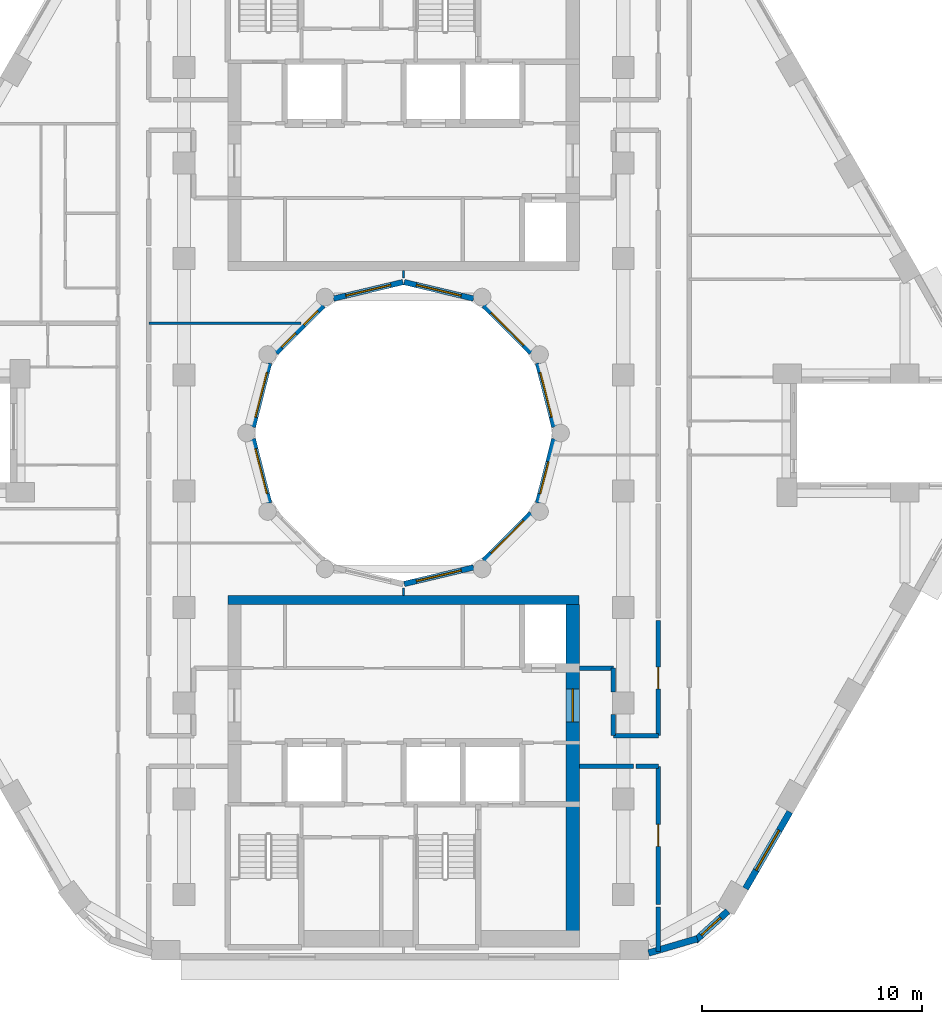
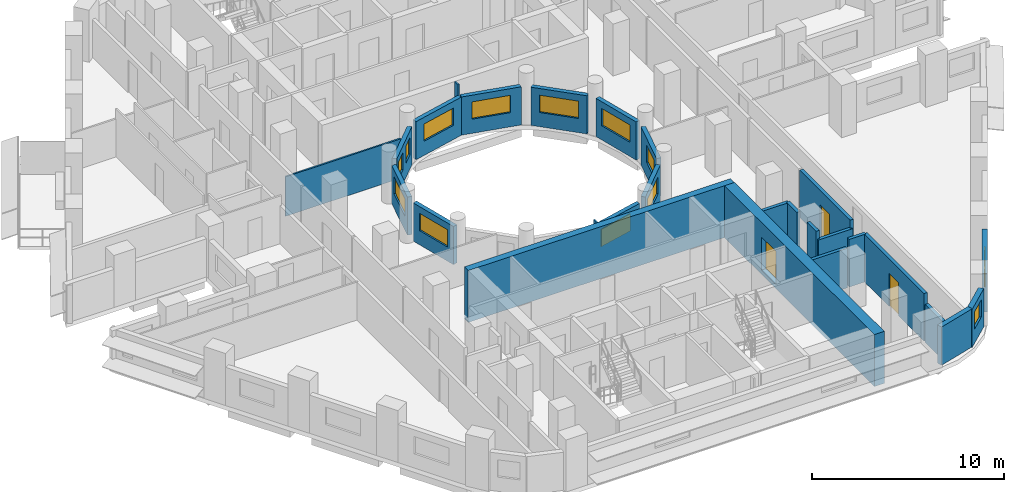
# One storey, part 5 of 13: 27 walls, 13 windows, 3 doors, 16 openings.
"""IFC4 building model written with IfcOpenShell, lengths in metres."""

from ifc_helpers import new_model, si_unit, direction, frame, frame_2d, origin, place, context, subcontext, project, spatial, rectangle, extrude, material, layer, layer_set, type_object, element, fill, save


model = new_model("IFC4")

# Units and contexts
model_context = context("Model", 3, precision=1e-05, world=origin(), true_north=direction((0.0, 1.0)))
body_context = subcontext(model_context, "Body", "Model", "MODEL_VIEW")
ifc_project = project(units=[si_unit("LENGTHUNIT", "METRE"), si_unit("AREAUNIT", "SQUARE_METRE"), si_unit("VOLUMEUNIT", "CUBIC_METRE"), si_unit("PLANEANGLEUNIT", "RADIAN"), si_unit("MASSUNIT", "GRAM", prefix="KILO")], contexts=[model_context])

# Site, building, storey
site_placement = place(None, origin())
site = spatial("IfcSite", under=ifc_project, at=site_placement, CompositionType="ELEMENT")
building_placement = place(site_placement, origin())
building = spatial("IfcBuilding", under=site, at=building_placement, Name="Nakaniwa Court", CompositionType="ELEMENT")
storey_placement = place(building_placement, frame((0.0, 0.0, 156.89990234375)))
storey = spatial("IfcBuildingStorey", under=building, at=storey_placement, Name="L41", CompositionType="ELEMENT", Elevation=156.89990234375)

# Wall
ifc_material_1 = material(Name="Acoustic double stud partition")
ifc_layer_1 = layer(ifc_material_1, 0.199951171875)
ifc_layer_set_1 = layer_set([ifc_layer_1], Name="Acoustic double stud partition")
wall_type_1 = type_object("IfcWallType", Name="Acoustic double stud partition 200", PredefinedType="PARTITIONING", material=ifc_layer_set_1)
wall_1_placement = place(storey_placement, frame((91.60009765625, 56.40087890625, 0.0), z_axis=(0.0, 0.0, 1.0), x_axis=(0.0, 1.0, 0.0)))
element("IfcWall", 1, at=wall_1_placement, inside=storey, type_object=wall_type_1, Name="Partition PW-067", PredefinedType="PARTITIONING", context=body_context, shape_type="SweptSolid", body=[
    extrude(rectangle(XDim=2.02197265625, YDim=0.199951171875, at=frame_2d((1.010986328125, 0.0))), origin(), (0.0, 0.0, 1.0), 2.405029296875),
])

# Wall, opening, door
wall_2_placement = place(storey_placement, frame((91.60009765625, 58.537109375, 0.0), z_axis=(0.0, 0.0, 1.0), x_axis=(0.0, 1.0, 0.0)))
wall_2 = element("IfcWall", 2, at=wall_2_placement, inside=storey, type_object=wall_type_1, Name="Partition PW-068", PredefinedType="PARTITIONING", context=body_context, shape_type="SweptSolid", body=[
    extrude(rectangle(XDim=6.287841796875, YDim=0.199951171875, at=frame_2d((3.14404296875, 0.0))), origin(), (0.0, 0.0, 1.0), 3.025146484375),
])
opening_1_placement = place(wall_2_placement, frame((2.64501953125, 0.0, 0.0)))
opening_1 = element("IfcOpeningElement", 3, at=opening_1_placement, cuts=wall_2, Name="Opening D-02-01", PredefinedType="OPENING", context=body_context, shape_type="SweptSolid", body=[
    extrude(rectangle(XDim=1.0, YDim=2.10009765625, at=frame_2d((0.5, 1.050048828125))), frame((0.0, 0.10986328125, 0.0), z_axis=(0.0, -1.0, 0.0), x_axis=(1.0, 0.0, 0.0)), (0.0, 0.0, 1.0), 0.219970703125),
])
ifc_material_2 = material(Name="Solid core timber door set, black veneer", Category="wood")
door_type_1 = type_object("IfcDoorType", Name="Internal door 1000", OperationType="NOTDEFINED", PredefinedType="DOOR", material=ifc_material_2)
door_1_placement = place(opening_1_placement, origin())
door_1 = element("IfcDoor", 4, at=door_1_placement, inside=storey, type_object=door_type_1, Name="Door D-02-01 L41-023", OperationType="SINGLE_SWING_RIGHT", OverallHeight=2.10009765625, OverallWidth=1.0, PredefinedType="DOOR", context=body_context, shape_type="SweptSolid", body=[
    extrude(rectangle(XDim=1.0, YDim=2.10009765625, at=frame_2d((0.5, 1.050048828125))), frame((0.0, 0.02490234375, 0.0), z_axis=(0.0, -1.0, 0.0), x_axis=(1.0, 0.0, 0.0)), (0.0, 0.0, 1.0), 0.050048828125),
])
fill(opening_1, door_1)

wall_3_placement = place(storey_placement, frame((91.60009765625, 66.22509765625, 0.0), z_axis=(0.0, 0.0, 1.0), x_axis=(0.0, 1.0, 0.0)))
wall_3 = element("IfcWall", 5, at=wall_3_placement, inside=storey, type_object=wall_type_1, Name="Partition PW-069", PredefinedType="PARTITIONING", context=body_context, shape_type="SweptSolid", body=[
    extrude(rectangle(XDim=5.247802734375, YDim=0.199951171875, at=frame_2d((2.6240234375, 0.0))), origin(), (0.0, 0.0, 1.0), 3.025146484375),
])
opening_2_placement = place(wall_3_placement, frame((2.123046875, 0.0, 0.0)))
opening_2 = element("IfcOpeningElement", 6, at=opening_2_placement, cuts=wall_3, Name="Opening D-02-03", PredefinedType="OPENING", context=body_context, shape_type="SweptSolid", body=[
    extrude(rectangle(XDim=1.0, YDim=2.10009765625, at=frame_2d((0.5, 1.050048828125))), frame((0.0, 0.10986328125, 0.0), z_axis=(0.0, -1.0, 0.0), x_axis=(1.0, 0.0, 0.0)), (0.0, 0.0, 1.0), 0.219970703125),
])
door_2_placement = place(opening_2_placement, origin())
door_2 = element("IfcDoor", 7, at=door_2_placement, inside=storey, type_object=door_type_1, Name="Door D-02-03 L41-025", OperationType="SINGLE_SWING_RIGHT", OverallHeight=2.10009765625, OverallWidth=1.0, PredefinedType="DOOR", context=body_context, shape_type="SweptSolid", body=[
    extrude(rectangle(XDim=1.0, YDim=2.10009765625, at=frame_2d((0.5, 1.050048828125))), frame((0.0, 0.02490234375, 0.0), z_axis=(0.0, -1.0, 0.0), x_axis=(1.0, 0.0, 0.0)), (0.0, 0.0, 1.0), 0.050048828125),
])
fill(opening_2, door_2)

# Walls
wall_4_placement = place(storey_placement, frame((88.0, 64.824951171875, 0.0), z_axis=(0.0, 0.0, 1.0), x_axis=(1.0, 0.0, 0.0)))
element("IfcWall", 8, at=wall_4_placement, inside=storey, type_object=wall_type_1, Name="Partition PW-078", PredefinedType="PARTITIONING", context=body_context, shape_type="SweptSolid", body=[
    extrude(rectangle(XDim=2.462890625, YDim=0.199951171875, at=frame_2d((1.2314453125, 0.0))), origin(), (0.0, 0.0, 1.0), 2.505126953125),
])
wall_5_placement = place(storey_placement, frame((90.5771484375, 64.824951171875, 0.0), z_axis=(0.0, 0.0, 1.0), x_axis=(1.0, 0.0, 0.0)))
element("IfcWall", 9, at=wall_5_placement, inside=storey, type_object=wall_type_1, Name="Partition PW-079", PredefinedType="PARTITIONING", context=body_context, shape_type="SweptSolid", body=[
    extrude(rectangle(XDim=1.02294921875, YDim=0.199951171875, at=frame_2d((0.511474609375, 0.0))), origin(), (0.0, 0.0, 1.0), 3.025146484375),
])
wall_6_placement = place(storey_placement, frame((88.0, 69.300048828125, 0.0), z_axis=(0.0, 0.0, 1.0), x_axis=(1.0, 0.0, 0.0)))
element("IfcWall", 10, at=wall_6_placement, inside=storey, type_object=wall_type_1, Name="Partition PW-082", PredefinedType="PARTITIONING", context=body_context, shape_type="SweptSolid", body=[
    extrude(rectangle(XDim=1.550048828125, YDim=0.199951171875, at=frame_2d((0.77490234375, 0.0))), origin(), (0.0, 0.0, 1.0), 3.025146484375),
])
wall_7_placement = place(storey_placement, frame((89.550048828125, 66.22509765625, 0.0), z_axis=(0.0, 0.0, 1.0), x_axis=(0.0, 1.0, 0.0)))
element("IfcWall", 11, at=wall_7_placement, inside=storey, type_object=wall_type_1, Name="Partition PW-083", PredefinedType="PARTITIONING", context=body_context, shape_type="SweptSolid", body=[
    extrude(rectangle(XDim=0.957763671875, YDim=0.199951171875, at=frame_2d((0.47900390625, 0.0))), origin(), (0.0, 0.0, 1.0), 3.025146484375),
])
wall_8_placement = place(storey_placement, frame((89.550048828125, 68.21728515625, 0.0), z_axis=(0.0, 0.0, 1.0), x_axis=(0.0, 1.0, 0.0)))
element("IfcWall", 12, at=wall_8_placement, inside=storey, type_object=wall_type_1, Name="Partition PW-084", PredefinedType="PARTITIONING", context=body_context, shape_type="SweptSolid", body=[
    extrude(rectangle(XDim=1.082763671875, YDim=0.199951171875, at=frame_2d((0.54150390625, 0.0))), origin(), (0.0, 0.0, 1.0), 3.025146484375),
])
wall_9_placement = place(storey_placement, frame((89.550048828125, 66.22509765625, 0.0), z_axis=(0.0, 0.0, 1.0), x_axis=(1.0, 0.0, 0.0)))
element("IfcWall", 13, at=wall_9_placement, inside=storey, type_object=wall_type_1, Name="Partition PW-088", PredefinedType="PARTITIONING", context=body_context, shape_type="SweptSolid", body=[
    extrude(rectangle(XDim=2.050048828125, YDim=0.199951171875, at=frame_2d((1.02490234375, 0.0))), origin(), (0.0, 0.0, 1.0), 2.505126953125),
])
ifc_material_3 = material(Name="Charcoal ceramic cladding")
ifc_layer_2 = layer(ifc_material_3, 0.02, Name="Ceramic cladding")
ifc_material_4 = material(Name="Ventilated air cavity")
ifc_layer_3 = layer(ifc_material_4, 0.04, ventilated=True, Name="Ventilated cavity")
ifc_material_5 = material(Name="Mineral wool insulation")
ifc_layer_4 = layer(ifc_material_5, 0.1, Name="Insulation")
ifc_material_6 = material(Name="Cement bonded sheathing board")
ifc_layer_5 = layer(ifc_material_6, 0.012, Name="Sheathing")
ifc_material_7 = material(Name="Cold-formed galvanised stud frame with mineral wool infill")
ifc_layer_6 = layer(ifc_material_7, 0.1, Name="Stud frame")
ifc_material_8 = material(Name="Fire-rated gypsum plasterboard lining")
ifc_layer_7 = layer(ifc_material_8, 0.028, Name="Lining")
ifc_layer_set_2 = layer_set([ifc_layer_2, ifc_layer_3, ifc_layer_4, ifc_layer_5, ifc_layer_6, ifc_layer_7], Name="Charcoal ceramic faced external wall system")
wall_type_2 = type_object("IfcWallType", Name="Black ceramic faced external wall 300", PredefinedType="SOLIDWALL", material=ifc_layer_set_2)
wall_10_placement = place(storey_placement, frame((91.1533203125, 56.328125, 0.0), z_axis=(0.0, 0.0, 1.0), x_axis=(0.959473072336, 0.281800325517, 0.0)))
element("IfcWall", 14, at=wall_10_placement, inside=storey, type_object=wall_type_2, Name="L41 external wall 27", PredefinedType="SOLIDWALL", context=body_context, shape_type="SweptSolid", body=[
    extrude(rectangle(XDim=2.3115234375, YDim=0.300048828125, at=frame_2d((1.15576171875, 0.0))), origin(), (0.0, 0.0, 1.0), 2.425048828125),
])

# Wall, opening, window
wall_11_placement = place(storey_placement, frame((93.2783203125, 56.890380859375, 0.0), z_axis=(0.0, 0.0, 1.0), x_axis=(0.740652597499, 0.671888182526, 0.0)))
wall_11 = element("IfcWall", 15, at=wall_11_placement, inside=storey, type_object=wall_type_2, Name="L41 external wall 28", PredefinedType="SOLIDWALL", context=body_context, shape_type="SweptSolid", body=[
    extrude(rectangle(XDim=1.998779296875, YDim=0.300048828125, at=frame_2d((0.99951171875, 0.0))), origin(), (0.0, 0.0, 1.0), 2.425048828125),
])
opening_3_placement = place(wall_11_placement, frame((0.359619140625, 0.0, 0.89990234375)))
opening_3 = element("IfcOpeningElement", 16, at=opening_3_placement, cuts=wall_11, Name="Opening W6.27", PredefinedType="OPENING", context=body_context, shape_type="SweptSolid", body=[
    extrude(rectangle(XDim=1.199951171875, YDim=1.10009765625, at=frame_2d((0.60009765625, 0.550048828125))), frame((0.0, 0.159912109375, 0.0), z_axis=(0.0, -1.0, 0.0), x_axis=(1.0, 0.0, 0.0)), (0.0, 0.0, 1.0), 0.320068359375),
])
ifc_material_9 = material(Name="Black anodised aluminium frame with dark low-E laminated double glazing", Category="aluminium")
window_type_1 = type_object("IfcWindowType", Name="Dark glass window 1200x1100 sill 900", PartitioningType="SINGLE_PANEL", PredefinedType="WINDOW", material=ifc_material_9)
window_1_placement = place(opening_3_placement, origin())
window_1 = element("IfcWindow", 17, at=window_1_placement, inside=storey, type_object=window_type_1, Name="L41 habitable room window 28-0", OverallHeight=1.10009765625, OverallWidth=1.199951171875, PartitioningType="SINGLE_PANEL", PredefinedType="WINDOW", context=body_context, shape_type="SweptSolid", body=[
    extrude(rectangle(XDim=1.199951171875, YDim=1.10009765625, at=frame_2d((0.60009765625, 0.550048828125))), frame((0.0, 0.030029296875, 0.0), z_axis=(0.0, -1.0, 0.0), x_axis=(1.0, 0.0, 0.0)), (0.0, 0.0, 1.0), 0.06005859375),
])
fill(opening_3, window_1)

wall_12_placement = place(storey_placement, frame((95.565185546875, 59.260009765625, 0.0), z_axis=(0.0, 0.0, 1.0), x_axis=(0.500031546601, 0.86600718958, 0.0)))
wall_12 = element("IfcWall", 18, at=wall_12_placement, inside=storey, type_object=wall_type_2, Name="L41 external wall 29", PredefinedType="SOLIDWALL", context=body_context, shape_type="SweptSolid", body=[
    extrude(rectangle(XDim=4.033935546875, YDim=0.300048828125, at=frame_2d((2.01708984375, 0.0))), origin(), (0.0, 0.0, 1.0), 2.425048828125),
])
opening_4_placement = place(wall_12_placement, frame((0.967041015625, 0.0, 0.89990234375)))
opening_4 = element("IfcOpeningElement", 19, at=opening_4_placement, cuts=wall_12, Name="Opening W7.28", PredefinedType="OPENING", context=body_context, shape_type="SweptSolid", body=[
    extrude(rectangle(XDim=2.10009765625, YDim=1.10009765625, at=frame_2d((1.050048828125, 0.550048828125))), frame((0.0, 0.159912109375, 0.0), z_axis=(0.0, -1.0, 0.0), x_axis=(1.0, 0.0, 0.0)), (0.0, 0.0, 1.0), 0.320068359375),
])
window_type_2 = type_object("IfcWindowType", Name="Dark glass window 2100x1100 sill 900", PartitioningType="SINGLE_PANEL", PredefinedType="WINDOW", material=ifc_material_9)
window_2_placement = place(opening_4_placement, origin())
window_2 = element("IfcWindow", 20, at=window_2_placement, inside=storey, type_object=window_type_2, Name="L41 habitable room window 29-0", OverallHeight=1.10009765625, OverallWidth=2.10009765625, PartitioningType="SINGLE_PANEL", PredefinedType="WINDOW", context=body_context, shape_type="SweptSolid", body=[
    extrude(rectangle(XDim=2.10009765625, YDim=1.10009765625, at=frame_2d((1.050048828125, 0.550048828125))), frame((0.0, 0.030029296875, 0.0), z_axis=(0.0, -1.0, 0.0), x_axis=(1.0, 0.0, 0.0)), (0.0, 0.0, 1.0), 0.06005859375),
])
fill(opening_4, window_2)

ifc_layer_8 = layer(ifc_material_3, 0.02, Name="Ceramic cladding")
ifc_layer_9 = layer(ifc_material_4, 0.04, ventilated=True, Name="Ventilated cavity")
ifc_layer_10 = layer(ifc_material_5, 0.075, Name="Insulation")
ifc_layer_11 = layer(ifc_material_6, 0.012, Name="Sheathing")
ifc_layer_12 = layer(ifc_material_7, 0.075, Name="Stud frame")
ifc_layer_13 = layer(ifc_material_8, 0.028, Name="Lining")
ifc_layer_set_3 = layer_set([ifc_layer_8, ifc_layer_9, ifc_layer_10, ifc_layer_11, ifc_layer_12, ifc_layer_13], Name="Charcoal ceramic faced external wall system")
wall_type_3 = type_object("IfcWallType", Name="Charcoal ceramic faced well wall 250", PredefinedType="SOLIDWALL", material=ifc_layer_set_3)
wall_13_placement = place(storey_placement, frame((86.8603515625, 79.72998046875, 0.0), z_axis=(0.0, 0.0, 1.0), x_axis=(-0.247055971283, -0.969001211069, 0.0)))
wall_13 = element("IfcWall", 21, at=wall_13_placement, inside=storey, type_object=wall_type_3, Name="L41 external wall 36", PredefinedType="SOLIDWALL", context=body_context, shape_type="SweptSolid", body=[
    extrude(rectangle(XDim=3.010009765625, YDim=0.25, at=frame_2d((1.5048828125, 0.0))), origin(), (0.0, 0.0, 1.0), 2.425048828125),
])
opening_5_placement = place(wall_13_placement, frame((1.077392578125, 0.0, 0.89990234375)))
opening_5 = element("IfcOpeningElement", 22, at=opening_5_placement, cuts=wall_13, Name="Opening W5.36", PredefinedType="OPENING", context=body_context, shape_type="SweptSolid", body=[
    extrude(rectangle(XDim=1.5, YDim=1.10009765625, at=frame_2d((0.75, 0.550048828125))), frame((0.0, 0.135009765625, 0.0), z_axis=(0.0, -1.0, 0.0), x_axis=(1.0, 0.0, 0.0)), (0.0, 0.0, 1.0), 0.27001953125),
])
window_type_3 = type_object("IfcWindowType", Name="Dark glass window 1500x1100 sill 900", PartitioningType="SINGLE_PANEL", PredefinedType="WINDOW", material=ifc_material_9)
window_3_placement = place(opening_5_placement, origin())
window_3 = element("IfcWindow", 23, at=window_3_placement, inside=storey, type_object=window_type_3, Name="L41 habitable room window 36-1", OverallHeight=1.10009765625, OverallWidth=1.5, PartitioningType="SINGLE_PANEL", PredefinedType="WINDOW", context=body_context, shape_type="SweptSolid", body=[
    extrude(rectangle(XDim=1.5, YDim=1.10009765625, at=frame_2d((0.75, 0.550048828125))), frame((0.0, 0.030029296875, 0.0), z_axis=(0.0, -1.0, 0.0), x_axis=(1.0, 0.0, 0.0)), (0.0, 0.0, 1.0), 0.06005859375),
])
fill(opening_5, window_3)

wall_14_placement = place(storey_placement, frame((85.8056640625, 76.339111328125, 0.0), z_axis=(0.0, 0.0, 1.0), x_axis=(-0.707106781187, -0.707106781187, 0.0)))
wall_14 = element("IfcWall", 24, at=wall_14_placement, inside=storey, type_object=wall_type_3, Name="L41 external wall 37", PredefinedType="SOLIDWALL", context=body_context, shape_type="SweptSolid", body=[
    extrude(rectangle(XDim=3.033203125, YDim=0.25, at=frame_2d((1.5166015625, 0.0))), origin(), (0.0, 0.0, 1.0), 2.425048828125),
])
opening_6_placement = place(wall_14_placement, frame((0.466552734375, 0.0, 0.89990234375)))
opening_6 = element("IfcOpeningElement", 25, at=opening_6_placement, cuts=wall_14, Name="Opening W7.37", PredefinedType="OPENING", context=body_context, shape_type="SweptSolid", body=[
    extrude(rectangle(XDim=2.10009765625, YDim=1.10009765625, at=frame_2d((1.050048828125, 0.550048828125))), frame((0.0, 0.135009765625, 0.0), z_axis=(0.0, -1.0, 0.0), x_axis=(1.0, 0.0, 0.0)), (0.0, 0.0, 1.0), 0.27001953125),
])
window_4_placement = place(opening_6_placement, origin())
window_4 = element("IfcWindow", 26, at=window_4_placement, inside=storey, type_object=window_type_2, Name="L41 habitable room window 37-0", OverallHeight=1.10009765625, OverallWidth=2.10009765625, PartitioningType="SINGLE_PANEL", PredefinedType="WINDOW", context=body_context, shape_type="SweptSolid", body=[
    extrude(rectangle(XDim=2.10009765625, YDim=1.10009765625, at=frame_2d((1.050048828125, 0.550048828125))), frame((0.0, 0.030029296875, 0.0), z_axis=(0.0, -1.0, 0.0), x_axis=(1.0, 0.0, 0.0)), (0.0, 0.0, 1.0), 0.06005859375),
])
fill(opening_6, window_4)

wall_15_placement = place(storey_placement, frame((83.186279296875, 73.880615234375, 0.0), z_axis=(0.0, 0.0, 1.0), x_axis=(-0.972773113459, -0.231759508395, 0.0)))
wall_15 = element("IfcWall", 27, at=wall_15_placement, inside=storey, type_object=wall_type_3, Name="L41 external wall 38", PredefinedType="SOLIDWALL", context=body_context, shape_type="SweptSolid", body=[
    extrude(rectangle(XDim=3.24560546875, YDim=0.25, at=frame_2d((1.622802734375, 0.0))), origin(), (0.0, 0.0, 1.0), 2.425048828125),
])
opening_7_placement = place(wall_15_placement, frame((0.57275390625, 0.0, 0.89990234375)))
opening_7 = element("IfcOpeningElement", 28, at=opening_7_placement, cuts=wall_15, Name="Opening W7.38", PredefinedType="OPENING", context=body_context, shape_type="SweptSolid", body=[
    extrude(rectangle(XDim=2.10009765625, YDim=1.10009765625, at=frame_2d((1.050048828125, 0.550048828125))), frame((0.0, 0.135009765625, 0.0), z_axis=(0.0, -1.0, 0.0), x_axis=(1.0, 0.0, 0.0)), (0.0, 0.0, 1.0), 0.27001953125),
])
window_5_placement = place(opening_7_placement, origin())
window_5 = element("IfcWindow", 29, at=window_5_placement, inside=storey, type_object=window_type_2, Name="L41 habitable room window 38-0", OverallHeight=1.10009765625, OverallWidth=2.10009765625, PartitioningType="SINGLE_PANEL", PredefinedType="WINDOW", context=body_context, shape_type="SweptSolid", body=[
    extrude(rectangle(XDim=2.10009765625, YDim=1.10009765625, at=frame_2d((1.050048828125, 0.550048828125))), frame((0.0, 0.030029296875, 0.0), z_axis=(0.0, -1.0, 0.0), x_axis=(1.0, 0.0, 0.0)), (0.0, 0.0, 1.0), 0.06005859375),
])
fill(opening_7, window_5)

wall_16_placement = place(storey_placement, frame((73.88330078125, 76.813232421875, 0.0), z_axis=(0.0, 0.0, 1.0), x_axis=(-0.247055971283, 0.969001211069, 0.0)))
wall_16 = element("IfcWall", 30, at=wall_16_placement, inside=storey, type_object=wall_type_3, Name="L41 external wall 41", PredefinedType="SOLIDWALL", context=body_context, shape_type="SweptSolid", body=[
    extrude(rectangle(XDim=3.010009765625, YDim=0.25, at=frame_2d((1.5048828125, 0.0))), origin(), (0.0, 0.0, 1.0), 2.425048828125),
])
opening_8_placement = place(wall_16_placement, frame((0.441162109375, 0.0, 0.89990234375)))
opening_8 = element("IfcOpeningElement", 31, at=opening_8_placement, cuts=wall_16, Name="Opening W7.42", PredefinedType="OPENING", context=body_context, shape_type="SweptSolid", body=[
    extrude(rectangle(XDim=2.10009765625, YDim=1.10009765625, at=frame_2d((1.050048828125, 0.550048828125))), frame((0.0, 0.135009765625, 0.0), z_axis=(0.0, -1.0, 0.0), x_axis=(1.0, 0.0, 0.0)), (0.0, 0.0, 1.0), 0.27001953125),
])
window_6_placement = place(opening_8_placement, origin())
window_6 = element("IfcWindow", 32, at=window_6_placement, inside=storey, type_object=window_type_2, Name="L41 habitable room window 41-0", OverallHeight=1.10009765625, OverallWidth=2.10009765625, PartitioningType="SINGLE_PANEL", PredefinedType="WINDOW", context=body_context, shape_type="SweptSolid", body=[
    extrude(rectangle(XDim=2.10009765625, YDim=1.10009765625, at=frame_2d((1.050048828125, 0.550048828125))), frame((0.0, 0.030029296875, 0.0), z_axis=(0.0, -1.0, 0.0), x_axis=(1.0, 0.0, 0.0)), (0.0, 0.0, 1.0), 0.06005859375),
])
fill(opening_8, window_6)

wall_17_placement = place(storey_placement, frame((73.1396484375, 80.27001953125, 0.0), z_axis=(0.0, 0.0, 1.0), x_axis=(0.247055971283, 0.969001211069, 0.0)))
wall_17 = element("IfcWall", 33, at=wall_17_placement, inside=storey, type_object=wall_type_3, Name="L41 external wall 42", PredefinedType="SOLIDWALL", context=body_context, shape_type="SweptSolid", body=[
    extrude(rectangle(XDim=3.010009765625, YDim=0.25, at=frame_2d((1.5048828125, 0.0))), origin(), (0.0, 0.0, 1.0), 2.425048828125),
])
opening_9_placement = place(wall_17_placement, frame((0.46875, 0.0, 0.89990234375)))
opening_9 = element("IfcOpeningElement", 34, at=opening_9_placement, cuts=wall_17, Name="Opening W7.43", PredefinedType="OPENING", context=body_context, shape_type="SweptSolid", body=[
    extrude(rectangle(XDim=2.10009765625, YDim=1.10009765625, at=frame_2d((1.050048828125, 0.550048828125))), frame((0.0, 0.135009765625, 0.0), z_axis=(0.0, -1.0, 0.0), x_axis=(1.0, 0.0, 0.0)), (0.0, 0.0, 1.0), 0.27001953125),
])
window_7_placement = place(opening_9_placement, origin())
window_7 = element("IfcWindow", 35, at=window_7_placement, inside=storey, type_object=window_type_2, Name="L41 habitable room window 42-0", OverallHeight=1.10009765625, OverallWidth=2.10009765625, PartitioningType="SINGLE_PANEL", PredefinedType="WINDOW", context=body_context, shape_type="SweptSolid", body=[
    extrude(rectangle(XDim=2.10009765625, YDim=1.10009765625, at=frame_2d((1.050048828125, 0.550048828125))), frame((0.0, 0.030029296875, 0.0), z_axis=(0.0, -1.0, 0.0), x_axis=(1.0, 0.0, 0.0)), (0.0, 0.0, 1.0), 0.06005859375),
])
fill(opening_9, window_7)

# Wall, openings, windows
wall_18_placement = place(storey_placement, frame((74.1943359375, 83.660888671875, 0.0), z_axis=(0.0, 0.0, 1.0), x_axis=(0.707106781187, 0.707106781187, 0.0)))
wall_18 = element("IfcWall", 36, at=wall_18_placement, inside=storey, type_object=wall_type_3, Name="L41 external wall 43", PredefinedType="SOLIDWALL", context=body_context, shape_type="SweptSolid", body=[
    extrude(rectangle(XDim=3.033203125, YDim=0.25, at=frame_2d((1.5166015625, 0.0))), origin(), (0.0, 0.0, 1.0), 2.425048828125),
])
opening_10_placement = place(wall_18_placement, frame((0.353271484375, 0.0, 0.89990234375)))
opening_10 = element("IfcOpeningElement", 37, at=opening_10_placement, cuts=wall_18, Name="Opening W9.44", PredefinedType="OPENING", context=body_context, shape_type="SweptSolid", body=[
    extrude(rectangle(XDim=0.89990234375, YDim=1.10009765625, at=frame_2d((0.449951171875, 0.550048828125))), frame((0.0, 0.135009765625, 0.0), z_axis=(0.0, -1.0, 0.0), x_axis=(1.0, 0.0, 0.0)), (0.0, 0.0, 1.0), 0.27001953125),
])
opening_11_placement = place(wall_18_placement, frame((1.787841796875, 0.0, 0.89990234375)))
opening_11 = element("IfcOpeningElement", 38, at=opening_11_placement, cuts=wall_18, Name="Opening W9.45", PredefinedType="OPENING", context=body_context, shape_type="SweptSolid", body=[
    extrude(rectangle(XDim=0.89990234375, YDim=1.10009765625, at=frame_2d((0.449951171875, 0.550048828125))), frame((0.0, 0.135009765625, 0.0), z_axis=(0.0, -1.0, 0.0), x_axis=(1.0, 0.0, 0.0)), (0.0, 0.0, 1.0), 0.27001953125),
])
window_type_4 = type_object("IfcWindowType", Name="Dark glass window 900x1100 sill 900", PartitioningType="SINGLE_PANEL", PredefinedType="WINDOW", material=ifc_material_9)
window_8_placement = place(opening_10_placement, origin())
window_8 = element("IfcWindow", 39, at=window_8_placement, inside=storey, type_object=window_type_4, Name="L41 habitable room window 43-0", OverallHeight=1.10009765625, OverallWidth=0.89990234375, PartitioningType="SINGLE_PANEL", PredefinedType="WINDOW", context=body_context, shape_type="SweptSolid", body=[
    extrude(rectangle(XDim=0.89990234375, YDim=1.10009765625, at=frame_2d((0.449951171875, 0.550048828125))), frame((0.0, 0.030029296875, 0.0), z_axis=(0.0, -1.0, 0.0), x_axis=(1.0, 0.0, 0.0)), (0.0, 0.0, 1.0), 0.06005859375),
])
fill(opening_10, window_8)
window_9_placement = place(opening_11_placement, origin())
window_9 = element("IfcWindow", 40, at=window_9_placement, inside=storey, type_object=window_type_4, Name="L41 habitable room window 43-1", OverallHeight=1.10009765625, OverallWidth=0.89990234375, PartitioningType="SINGLE_PANEL", PredefinedType="WINDOW", context=body_context, shape_type="SweptSolid", body=[
    extrude(rectangle(XDim=0.89990234375, YDim=1.10009765625, at=frame_2d((0.449951171875, 0.550048828125))), frame((0.0, 0.030029296875, 0.0), z_axis=(0.0, -1.0, 0.0), x_axis=(1.0, 0.0, 0.0)), (0.0, 0.0, 1.0), 0.06005859375),
])
fill(opening_11, window_9)

# Wall, opening, window
wall_19_placement = place(storey_placement, frame((76.813720703125, 86.119384765625, 0.0), z_axis=(0.0, 0.0, 1.0), x_axis=(0.972773113459, 0.231759508395, 0.0)))
wall_19 = element("IfcWall", 41, at=wall_19_placement, inside=storey, type_object=wall_type_3, Name="L41 external wall 44", PredefinedType="SOLIDWALL", context=body_context, shape_type="SweptSolid", body=[
    extrude(rectangle(XDim=3.24560546875, YDim=0.25, at=frame_2d((1.622802734375, 0.0))), origin(), (0.0, 0.0, 1.0), 2.425048828125),
])
opening_12_placement = place(wall_19_placement, frame((0.57275390625, 0.0, 0.89990234375)))
opening_12 = element("IfcOpeningElement", 42, at=opening_12_placement, cuts=wall_19, Name="Opening W7.46", PredefinedType="OPENING", context=body_context, shape_type="SweptSolid", body=[
    extrude(rectangle(XDim=2.10009765625, YDim=1.10009765625, at=frame_2d((1.050048828125, 0.550048828125))), frame((0.0, 0.135009765625, 0.0), z_axis=(0.0, -1.0, 0.0), x_axis=(1.0, 0.0, 0.0)), (0.0, 0.0, 1.0), 0.27001953125),
])
window_10_placement = place(opening_12_placement, origin())
window_10 = element("IfcWindow", 43, at=window_10_placement, inside=storey, type_object=window_type_2, Name="L41 habitable room window 44-0", OverallHeight=1.10009765625, OverallWidth=2.10009765625, PartitioningType="SINGLE_PANEL", PredefinedType="WINDOW", context=body_context, shape_type="SweptSolid", body=[
    extrude(rectangle(XDim=2.10009765625, YDim=1.10009765625, at=frame_2d((1.050048828125, 0.550048828125))), frame((0.0, 0.030029296875, 0.0), z_axis=(0.0, -1.0, 0.0), x_axis=(1.0, 0.0, 0.0)), (0.0, 0.0, 1.0), 0.06005859375),
])
fill(opening_12, window_10)

wall_20_placement = place(storey_placement, frame((80.029052734375, 86.87158203125, 0.0), z_axis=(0.0, 0.0, 1.0), x_axis=(0.972773113459, -0.231759508395, 0.0)))
wall_20 = element("IfcWall", 44, at=wall_20_placement, inside=storey, type_object=wall_type_3, Name="L41 external wall 45", PredefinedType="SOLIDWALL", context=body_context, shape_type="SweptSolid", body=[
    extrude(rectangle(XDim=3.24560546875, YDim=0.25, at=frame_2d((1.622802734375, 0.0))), origin(), (0.0, 0.0, 1.0), 2.425048828125),
])
opening_13_placement = place(wall_20_placement, frame((0.57275390625, 0.0, 0.89990234375)))
opening_13 = element("IfcOpeningElement", 45, at=opening_13_placement, cuts=wall_20, Name="Opening W7.47", PredefinedType="OPENING", context=body_context, shape_type="SweptSolid", body=[
    extrude(rectangle(XDim=2.10009765625, YDim=1.10009765625, at=frame_2d((1.050048828125, 0.550048828125))), frame((0.0, 0.135009765625, 0.0), z_axis=(0.0, -1.0, 0.0), x_axis=(1.0, 0.0, 0.0)), (0.0, 0.0, 1.0), 0.27001953125),
])
window_11_placement = place(opening_13_placement, origin())
window_11 = element("IfcWindow", 46, at=window_11_placement, inside=storey, type_object=window_type_2, Name="L41 habitable room window 45-0", OverallHeight=1.10009765625, OverallWidth=2.10009765625, PartitioningType="SINGLE_PANEL", PredefinedType="WINDOW", context=body_context, shape_type="SweptSolid", body=[
    extrude(rectangle(XDim=2.10009765625, YDim=1.10009765625, at=frame_2d((1.050048828125, 0.550048828125))), frame((0.0, 0.030029296875, 0.0), z_axis=(0.0, -1.0, 0.0), x_axis=(1.0, 0.0, 0.0)), (0.0, 0.0, 1.0), 0.06005859375),
])
fill(opening_13, window_11)

wall_21_placement = place(storey_placement, frame((83.660888671875, 85.8056640625, 0.0), z_axis=(0.0, 0.0, 1.0), x_axis=(0.707106781187, -0.707106781187, 0.0)))
wall_21 = element("IfcWall", 47, at=wall_21_placement, inside=storey, type_object=wall_type_3, Name="L41 external wall 46", PredefinedType="SOLIDWALL", context=body_context, shape_type="SweptSolid", body=[
    extrude(rectangle(XDim=3.033203125, YDim=0.25, at=frame_2d((1.5166015625, 0.0))), origin(), (0.0, 0.0, 1.0), 2.425048828125),
])
opening_14_placement = place(wall_21_placement, frame((0.466552734375, 0.0, 0.89990234375)))
opening_14 = element("IfcOpeningElement", 48, at=opening_14_placement, cuts=wall_21, Name="Opening W7.48", PredefinedType="OPENING", context=body_context, shape_type="SweptSolid", body=[
    extrude(rectangle(XDim=2.10009765625, YDim=1.10009765625, at=frame_2d((1.050048828125, 0.550048828125))), frame((0.0, 0.135009765625, 0.0), z_axis=(0.0, -1.0, 0.0), x_axis=(1.0, 0.0, 0.0)), (0.0, 0.0, 1.0), 0.27001953125),
])
window_12_placement = place(opening_14_placement, origin())
window_12 = element("IfcWindow", 49, at=window_12_placement, inside=storey, type_object=window_type_2, Name="L41 habitable room window 46-0", OverallHeight=1.10009765625, OverallWidth=2.10009765625, PartitioningType="SINGLE_PANEL", PredefinedType="WINDOW", context=body_context, shape_type="SweptSolid", body=[
    extrude(rectangle(XDim=2.10009765625, YDim=1.10009765625, at=frame_2d((1.050048828125, 0.550048828125))), frame((0.0, 0.030029296875, 0.0), z_axis=(0.0, -1.0, 0.0), x_axis=(1.0, 0.0, 0.0)), (0.0, 0.0, 1.0), 0.06005859375),
])
fill(opening_14, window_12)

wall_22_placement = place(storey_placement, frame((86.11669921875, 83.186767578125, 0.0), z_axis=(0.0, 0.0, 1.0), x_axis=(0.247055971283, -0.969001211069, 0.0)))
wall_22 = element("IfcWall", 50, at=wall_22_placement, inside=storey, type_object=wall_type_3, Name="L41 external wall 47", PredefinedType="SOLIDWALL", context=body_context, shape_type="SweptSolid", body=[
    extrude(rectangle(XDim=3.010009765625, YDim=0.25, at=frame_2d((1.5048828125, 0.0))), origin(), (0.0, 0.0, 1.0), 2.425048828125),
])
opening_15_placement = place(wall_22_placement, frame((0.441162109375, 0.0, 0.89990234375)))
opening_15 = element("IfcOpeningElement", 51, at=opening_15_placement, cuts=wall_22, Name="Opening W7.49", PredefinedType="OPENING", context=body_context, shape_type="SweptSolid", body=[
    extrude(rectangle(XDim=2.10009765625, YDim=1.10009765625, at=frame_2d((1.050048828125, 0.550048828125))), frame((0.0, 0.135009765625, 0.0), z_axis=(0.0, -1.0, 0.0), x_axis=(1.0, 0.0, 0.0)), (0.0, 0.0, 1.0), 0.27001953125),
])
window_13_placement = place(opening_15_placement, origin())
window_13 = element("IfcWindow", 52, at=window_13_placement, inside=storey, type_object=window_type_2, Name="L41 habitable room window 47-0", OverallHeight=1.10009765625, OverallWidth=2.10009765625, PartitioningType="SINGLE_PANEL", PredefinedType="WINDOW", context=body_context, shape_type="SweptSolid", body=[
    extrude(rectangle(XDim=2.10009765625, YDim=1.10009765625, at=frame_2d((1.050048828125, 0.550048828125))), frame((0.0, 0.030029296875, 0.0), z_axis=(0.0, -1.0, 0.0), x_axis=(1.0, 0.0, 0.0)), (0.0, 0.0, 1.0), 0.06005859375),
])
fill(opening_15, window_13)

# Wall, opening, door
ifc_material_10 = material(Name="Concrete C80/100", Category="concrete")
ifc_layer_14 = layer(ifc_material_10, 0.60009765625)
ifc_layer_set_4 = layer_set([ifc_layer_14], Name="Concrete C80/100")
wall_type_4 = type_object("IfcWallType", Name="Concrete core side wall 600 C80", PredefinedType="SHEAR", material=ifc_layer_set_4)
wall_23_placement = place(storey_placement, frame((87.699951171875, 72.199951171875, -0.27490234375), z_axis=(0.0, 0.0, 1.0), x_axis=(0.0, -1.0, 0.0)))
wall_23 = element("IfcWall", 53, at=wall_23_placement, inside=storey, type_object=wall_type_4, Name="Core wall SW-40", PredefinedType="SHEAR", context=body_context, shape_type="SweptSolid", body=[
    extrude(rectangle(XDim=15.599853515625, YDim=0.60009765625, at=frame_2d((7.7998046875, 0.0))), origin(), (0.0, 0.0, 1.0), 3.300048828125),
])
opening_16_placement = place(wall_23_placement, frame((3.85205078125, 0.0, 0.27490234375)))
opening_16 = element("IfcOpeningElement", 54, at=opening_16_placement, cuts=wall_23, Name="Opening D-07-03", PredefinedType="OPENING", context=body_context, shape_type="SweptSolid", body=[
    extrude(rectangle(XDim=1.5, YDim=2.10009765625, at=frame_2d((0.75, 1.050048828125))), frame((0.0, 0.31005859375, 0.0), z_axis=(0.0, -1.0, 0.0), x_axis=(1.0, 0.0, 0.0)), (0.0, 0.0, 1.0), 0.6201171875),
])
ifc_material_11 = material(Name="Glazed fire rated steel double door set", Category="steel")
door_type_2 = type_object("IfcDoorType", Name="Lobby double door 1500", OperationType="NOTDEFINED", PredefinedType="DOOR", material=ifc_material_11)
door_3_placement = place(opening_16_placement, origin())
door_3 = element("IfcDoor", 55, at=door_3_placement, inside=storey, type_object=door_type_2, Name="Door D-07-03 L41-051", OperationType="DOUBLE_DOOR_SINGLE_SWING", OverallHeight=2.10009765625, OverallWidth=1.5, PredefinedType="DOOR", context=body_context, shape_type="SweptSolid", body=[
    extrude(rectangle(XDim=1.5, YDim=2.10009765625, at=frame_2d((0.75, 1.050048828125))), frame((0.0, 0.02490234375, 0.0), z_axis=(0.0, -1.0, 0.0), x_axis=(1.0, 0.0, 0.0)), (0.0, 0.0, 1.0), 0.050048828125),
])
fill(opening_16, door_3)

# Walls
ifc_layer_15 = layer(ifc_material_10, 0.39990234375)
ifc_layer_set_5 = layer_set([ifc_layer_15], Name="Concrete C80/100")
wall_type_5 = type_object("IfcWallType", Name="Concrete core well wall 400 C80", PredefinedType="SHEAR", material=ifc_layer_set_5)
wall_24_placement = place(storey_placement, frame((72.00390625, 72.39990234375, -0.27490234375), z_axis=(0.0, 0.0, 1.0), x_axis=(1.0, 0.0, 0.0)))
element("IfcWall", 56, at=wall_24_placement, inside=storey, type_object=wall_type_5, Name="Core wall SW-135", PredefinedType="SHEAR", context=body_context, shape_type="SweptSolid", body=[
    extrude(rectangle(XDim=15.9921875, YDim=0.39990234375, at=frame_2d((7.99609375, 0.0))), origin(), (0.0, 0.0, 1.0), 3.300048828125),
])
ifc_material_12 = material(Name="Single stud plasterboard partition")
ifc_layer_16 = layer(ifc_material_12, 0.10009765625)
ifc_layer_set_6 = layer_set([ifc_layer_16], Name="Single stud plasterboard partition")
wall_type_6 = type_object("IfcWallType", Name="Single stud plasterboard partition 100", PredefinedType="PARTITIONING", material=ifc_layer_set_6)
for number, where, z_axis, x_axis, name in (
    (57, (80.0, 72.60009765625, 0.0), (0.0, 0.0, 1.0), (0.0, 1.0, 0.0), "Partition PW-112"),
    (58, (80.0, 87.048095703125, 0.0), (0.0, 0.0, 1.0), (0.0, 1.0, 0.0), "Partition PW-113"),
):
    element("IfcWall", number, at=place(storey_placement, frame(where, z_axis=z_axis, x_axis=x_axis)), inside=storey, type_object=wall_type_6, Name=name, PredefinedType="PARTITIONING", context=body_context, shape_type="SweptSolid", body=[
        extrude(rectangle(XDim=0.351806640625, YDim=0.10009765625, at=frame_2d((0.17578125, 0.0))), origin(), (0.0, 0.0, 1.0), 3.025146484375),
    ])
wall_25_placement = place(storey_placement, frame((68.40087890625, 85.0, 0.0), z_axis=(0.0, 0.0, 1.0), x_axis=(1.0, 0.0, 0.0)))
element("IfcWall", 59, at=wall_25_placement, inside=storey, type_object=wall_type_6, Name="Partition PW-128", PredefinedType="PARTITIONING", context=body_context, shape_type="SweptSolid", body=[
    extrude(rectangle(XDim=6.92578125, YDim=0.10009765625, at=frame_2d((3.462890625, 0.0))), origin(), (0.0, 0.0, 1.0), 2.505126953125),
])

save(model, "model.ifc")
